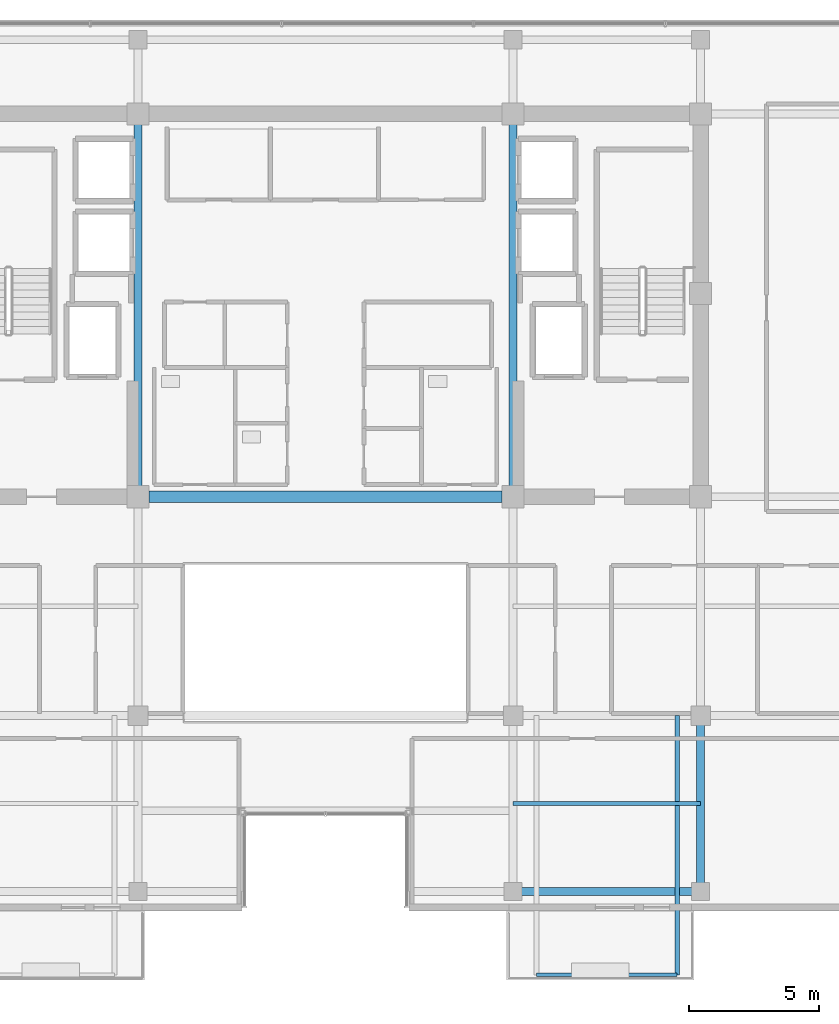
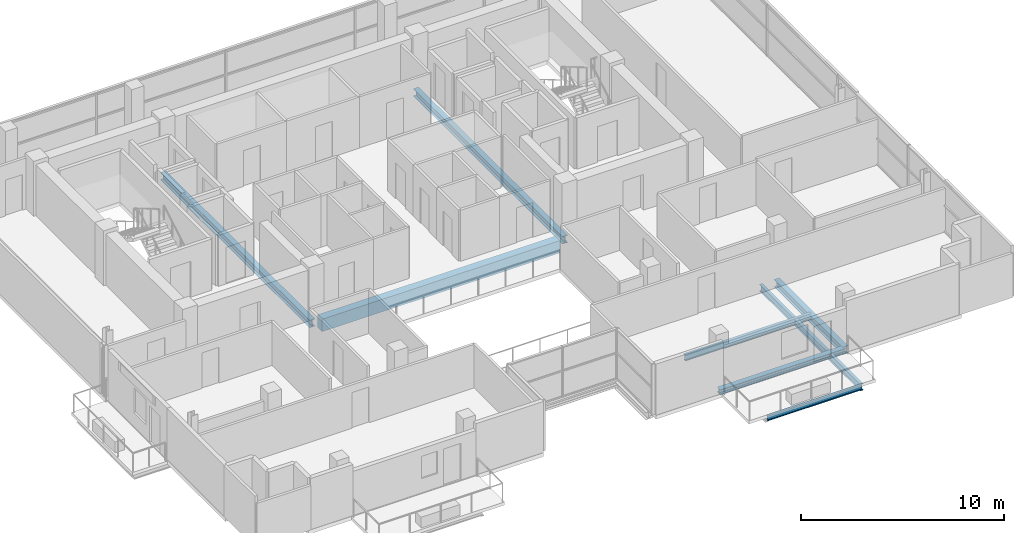
# One storey, part 6 of 21: 8 beams.
"""IFC4 building model written with IfcOpenShell, lengths in metres."""

import ifcopenshell
import ifcopenshell.guid

model = None  # the IFC model being written
_history = None  # IfcOwnerHistory: only IFC2X3 demands one
_inside = {}  # id of a spatial element -> (the spatial element, [elements in it])
_under = {}  # id of a project, library or spatial element -> (it, [spatial elements below it])
_declared = {}  # id of a project -> (the project, [libraries it declares])
_typed = {}  # id of a type object -> (the type object, [elements of that type])
_made_of = {}  # id of a material, layer set ... -> (it, [elements and type objects made of it])


def new_model(schema):
    """Start an empty IFC model of exactly this schema.

    Asked for "IFC4X3", IfcOpenShell would pick the latest addendum, in which some entities
    have other attributes; the version numbers below select the first issue.
    IFC2X3 requires an IfcOwnerHistory on every rooted entity: one is made here for all.
    """
    global model, _history
    if schema == "IFC4X3":
        model = ifcopenshell.file(schema_version=(4, 3, 0, 0))
    else:
        model = ifcopenshell.file(schema=schema)
    _inside.clear()
    _under.clear()
    _declared.clear()
    _typed.clear()
    _made_of.clear()
    _history = None
    if model.schema == "IFC2X3":
        org = make("IfcOrganization", Name="unknown")
        user = make(
            "IfcPersonAndOrganization",
            ThePerson=make("IfcPerson", FamilyName="unknown"),
            TheOrganization=org,
        )
        app = make(
            "IfcApplication",
            ApplicationDeveloper=org,
            Version="unknown",
            ApplicationFullName="unknown",
            ApplicationIdentifier="unknown",
        )
        _history = make(
            "IfcOwnerHistory",
            OwningUser=user,
            OwningApplication=app,
            ChangeAction="ADDED",
            CreationDate=0,
        )
    return model


def make(cls, **values):
    """One entity of the class cls with the attributes given. An attribute that is None is left unset."""
    return model.create_entity(
        cls, **{name: value for name, value in values.items() if value is not None}
    )


def rooted(cls, **values):
    """An entity with a GlobalId (a new one), such as an element, a storey or a relation."""
    return make(cls, GlobalId=ifcopenshell.guid.new(), OwnerHistory=_history, **values)


def si_unit(unit_type, name, prefix=None):
    """IfcSIUnit, for example si_unit("LENGTHUNIT", "METRE", prefix="MILLI")."""
    return make("IfcSIUnit", UnitType=unit_type, Prefix=prefix, Name=name)


def assignment(units):
    """IfcUnitAssignment: the units of a project."""
    return None if units is None else make("IfcUnitAssignment", Units=units)


def point(xyz):
    """IfcCartesianPoint."""
    return None if xyz is None else make("IfcCartesianPoint", Coordinates=xyz)


def direction(xyz):
    """IfcDirection."""
    return None if xyz is None else make("IfcDirection", DirectionRatios=xyz)


def frame(location, z_axis=None, x_axis=None):
    """IfcAxis2Placement3D, a coordinate frame: its origin and axes. An axis left out is left unset."""
    return make(
        "IfcAxis2Placement3D",
        Location=point(location),
        Axis=direction(z_axis),
        RefDirection=direction(x_axis),
    )


def frame_2d(location, x_axis=None):
    """IfcAxis2Placement2D, a coordinate frame in the plane: its origin and x axis."""
    return make(
        "IfcAxis2Placement2D", Location=point(location), RefDirection=direction(x_axis)
    )


def origin():
    """The frame at (0, 0, 0) with its axes left unset."""
    return frame((0.0, 0.0, 0.0))


def origin_2d():
    """The frame at (0, 0) in the plane with its x axis left unset."""
    return frame_2d((0.0, 0.0))


def place(relative_to, where):
    """IfcLocalPlacement: puts the frame where relative to a parent placement (None: the world)."""
    return make(
        "IfcLocalPlacement", PlacementRelTo=relative_to, RelativePlacement=where
    )


def context(
    kind, dimensions, precision=None, world=None, true_north=None, identifier=None
):
    """IfcGeometricRepresentationContext, for example the 3D "Model" context."""
    return make(
        "IfcGeometricRepresentationContext",
        ContextIdentifier=identifier,
        ContextType=kind,
        CoordinateSpaceDimension=dimensions,
        Precision=precision,
        WorldCoordinateSystem=world,
        TrueNorth=true_north,
    )


def subcontext(parent, identifier, kind, view, scale=None):
    """IfcGeometricRepresentationSubContext, for example "Body" below "Model"."""
    return make(
        "IfcGeometricRepresentationSubContext",
        ContextIdentifier=identifier,
        ContextType=kind,
        ParentContext=parent,
        TargetScale=scale,
        TargetView=view,
    )


def project(units=None, contexts=None):
    """IfcProject with its units and contexts."""
    return rooted(
        "IfcProject",
        Name="project",
        RepresentationContexts=contexts,
        UnitsInContext=assignment(units),
    )


def spatial(cls, under=None, at=None, **own):
    """A site, building, storey or space (cls), placed at a placement, below another one or the project."""
    s = rooted(cls, ObjectPlacement=at, **own)
    if under is not None:
        _under.setdefault(under.id(), (under, []))[1].append(s)
    return s


def profile(cls, at=None, kind="AREA", **sizes):
    """A parametric profile (cls). Its sizes go by their IFC names, for example OverallWidth=200.0."""
    return make(cls, ProfileType=kind, Position=at, **sizes)


def rectangle(**sizes):
    """IfcRectangleProfileDef."""
    return profile("IfcRectangleProfileDef", **sizes)


def i_section(**sizes):
    """IfcIShapeProfileDef."""
    return profile("IfcIShapeProfileDef", **sizes)


def extrude(swept, where, along, depth):
    """IfcExtrudedAreaSolid: the profile swept, set in the frame where, extruded along a direction by depth."""
    return make(
        "IfcExtrudedAreaSolid",
        SweptArea=swept,
        Position=where,
        ExtrudedDirection=direction(along),
        Depth=depth,
    )


def shape(context_of_items, identifier, shape_type, items):
    """IfcShapeRepresentation: the items that make up one representation, for example the "Body"."""
    return make(
        "IfcShapeRepresentation",
        ContextOfItems=context_of_items,
        RepresentationIdentifier=identifier,
        RepresentationType=shape_type,
        Items=items,
    )


def material(Name=None, Category=None):
    """IfcMaterial."""
    return make("IfcMaterial", Name=Name, Category=Category)


def material_profile(
    of_material, cross_section, Name=None, Category=None, Priority=None
):
    """IfcMaterialProfile: a cross section and its material."""
    return make(
        "IfcMaterialProfile",
        Name=Name,
        Material=of_material,
        Profile=cross_section,
        Priority=Priority,
        Category=Category,
    )


def profile_set(profiles, Name=None, composite=None):
    """IfcMaterialProfileSet."""
    return make(
        "IfcMaterialProfileSet",
        Name=Name,
        MaterialProfiles=profiles,
        CompositeProfile=composite,
    )


def made_of(thing, what):
    """Note that an element or type object is made of a material, layer set ...; save() writes the relation."""
    if what is not None:
        _made_of.setdefault(what.id(), (what, []))[1].append(thing)
    return thing


def type_object(cls, material=None, **own):
    """A type object (cls), such as IfcWallType, which elements share."""
    return made_of(rooted(cls, **own), material)


def element(
    cls,
    number,
    at=None,
    inside=None,
    cuts=None,
    type_object=None,
    material=None,
    context=None,
    identifier="Body",
    shape_type=None,
    held_by="IfcProductDefinitionShape",
    body=None,
    shapes=None,
    **own,
):
    """One element of the class cls, such as IfcWall. Its Tag is "e" and its number.

    at: its placement. inside: the storey or other place that contains it. cuts: it is an
    opening in that element (IfcRelVoidsElement). A single representation is given by context,
    identifier, shape_type and body (its items); several are given by shapes. held_by: the class
    of the entity that holds the representations. save() writes the other relations.
    """
    e = rooted(cls, Tag="e%d" % number, ObjectPlacement=at, **own)
    if body is not None:
        shapes = [shape(context, identifier, shape_type, body)]
    if shapes is not None:
        e.Representation = make(held_by, Representations=shapes)
    if inside is not None:
        _inside.setdefault(inside.id(), (inside, []))[1].append(e)
    if cuts is not None:
        rooted(
            "IfcRelVoidsElement", RelatingBuildingElement=cuts, RelatedOpeningElement=e
        )
    if type_object is not None:
        _typed.setdefault(type_object.id(), (type_object, []))[1].append(e)
    return made_of(e, material)


def aggregate(whole, parts):
    """IfcRelAggregates: a whole, such as a stair, and the parts it consists of."""
    return rooted("IfcRelAggregates", RelatingObject=whole, RelatedObjects=parts)


def save(model, path):
    """Write the relations noted so far, then the file.

    IfcRelAggregates (storeys below a building ...), IfcRelContainedInSpatialStructure (elements
    in a storey), IfcRelDefinesByType, IfcRelAssociatesMaterial and IfcRelDeclares: one each for
    every whole, place, type object, material and project.
    """
    for whole, parts in _under.values():
        aggregate(whole, parts)
    for where, things in _inside.values():
        rooted(
            "IfcRelContainedInSpatialStructure",
            RelatedElements=things,
            RelatingStructure=where,
        )
    for kind, things in _typed.values():
        rooted("IfcRelDefinesByType", RelatedObjects=things, RelatingType=kind)
    for what, things in _made_of.values():
        rooted("IfcRelAssociatesMaterial", RelatedObjects=things, RelatingMaterial=what)
    for by, libraries in _declared.values():
        rooted("IfcRelDeclares", RelatingContext=by, RelatedDefinitions=libraries)
    model.write(path)


model = new_model("IFC4")

# Units and contexts
model_context = context("Model", 3, precision=1e-05, world=origin(), true_north=direction((0.0, 1.0)))
body_context = subcontext(model_context, "Body", "Model", "MODEL_VIEW")
ifc_project = project(units=[si_unit("LENGTHUNIT", "METRE"), si_unit("AREAUNIT", "SQUARE_METRE"), si_unit("VOLUMEUNIT", "CUBIC_METRE"), si_unit("PLANEANGLEUNIT", "RADIAN"), si_unit("MASSUNIT", "GRAM", prefix="KILO")], contexts=[model_context])

# Site, building, storey
site_placement = place(None, origin())
site = spatial("IfcSite", under=ifc_project, at=site_placement, CompositionType="ELEMENT")
building_placement = place(site_placement, origin())
building = spatial("IfcBuilding", under=site, at=building_placement, Name="Zarnakvel Exchange Tower", CompositionType="ELEMENT")
storey_placement = place(building_placement, frame((0.0, 0.0, 248.5)))
storey = spatial("IfcBuildingStorey", under=building, at=storey_placement, Name="L70", CompositionType="ELEMENT", Elevation=248.5)

# Beams
ifc_material_1 = material(Name="Steel S355", Category="steel")
ifc_material_profile_1 = material_profile(ifc_material_1, i_section(OverallWidth=0.179931640625, OverallDepth=0.39990234375, WebThickness=0.008544921875, FlangeThickness=0.013427734375, FilletRadius=0.02099609375, at=origin_2d()))
ifc_profile_set_1 = profile_set([ifc_material_profile_1], Name="Steel S355")
beam_type_1 = type_object("IfcBeamType", Name="B-06", PredefinedType="JOIST", material=ifc_profile_set_1)
beam_1_placement = place(storey_placement, frame((13.5, -9.60009765625, -0.425048828125), z_axis=(0.0, -1.0, 0.0), x_axis=(1.0, 0.0, 0.0)))
element("IfcBeam", 1, at=beam_1_placement, inside=storey, type_object=beam_type_1, Name="L70 Continuous Back-Spanned Balcony Beam E", PredefinedType="JOIST", context=body_context, shape_type="SweptSolid", body=[
    extrude(i_section(OverallWidth=0.179931640625, OverallDepth=0.39990234375, WebThickness=0.008544921875, FlangeThickness=0.013427734375, FilletRadius=0.02099609375, at=origin_2d()), origin(), (0.0, 0.0, 1.0), 9.949951171875),
])
ifc_material_profile_2 = material_profile(ifc_material_1, i_section(OverallWidth=0.169921875, OverallDepth=0.360107421875, WebThickness=0.008056640625, FlangeThickness=0.0126953125, FilletRadius=0.01806640625, at=origin_2d()))
ifc_profile_set_2 = profile_set([ifc_material_profile_2], Name="Steel S355")
beam_type_2 = type_object("IfcBeamType", Name="B-07", PredefinedType="JOIST", material=ifc_profile_set_2)
beam_2_placement = place(storey_placement, frame((7.199951171875, -12.97509765625, -0.405029296875), z_axis=(1.0, 0.0, 0.0), x_axis=(0.0, 1.0, 0.0)))
element("IfcBeam", 2, at=beam_2_placement, inside=storey, type_object=beam_type_2, Name="L70 Composite Floor Secondary Joist", PredefinedType="JOIST", context=body_context, shape_type="SweptSolid", body=[
    extrude(i_section(OverallWidth=0.169921875, OverallDepth=0.360107421875, WebThickness=0.008056640625, FlangeThickness=0.0126953125, FilletRadius=0.01806640625, at=origin_2d()), origin(), (0.0, 0.0, 1.0), 7.199951171875),
])
ifc_material_profile_3 = material_profile(ifc_material_1, i_section(OverallWidth=0.14990234375, OverallDepth=0.300048828125, WebThickness=0.007080078125, FlangeThickness=0.0107421875, FilletRadius=0.014892578125, at=origin_2d()))
ifc_profile_set_3 = profile_set([ifc_material_profile_3], Name="Steel S355")
beam_type_3 = type_object("IfcBeamType", Name="B-08", PredefinedType="JOIST", material=ifc_profile_set_3)
beam_3_placement = place(storey_placement, frame((8.10009765625, -19.550048828125, -0.375), z_axis=(1.0, 0.0, 0.0), x_axis=(0.0, 1.0, 0.0)))
element("IfcBeam", 3, at=beam_3_placement, inside=storey, type_object=beam_type_3, Name="L70 Balcony Edge Beam", PredefinedType="JOIST", context=body_context, shape_type="SweptSolid", body=[
    extrude(i_section(OverallWidth=0.14990234375, OverallDepth=0.300048828125, WebThickness=0.007080078125, FlangeThickness=0.0107421875, FilletRadius=0.014892578125, at=origin_2d()), origin(), (0.0, 0.0, 1.0), 5.39990234375),
])
ifc_material_2 = material(Name="Concrete C50/60", Category="concrete")
ifc_material_profile_4 = material_profile(ifc_material_2, rectangle(XDim=0.449951171875, YDim=0.75, at=origin_2d()))
ifc_profile_set_4 = profile_set([ifc_material_profile_4], Name="Concrete C50/60")
beam_type_4 = type_object("IfcBeamType", Name="CB-03", PredefinedType="LINTEL", material=ifc_profile_set_4)
beam_4_placement = place(storey_placement, frame((-6.77490234375, -1.199951171875, -0.60009765625), z_axis=(1.0, 0.0, 0.0), x_axis=(0.0, 1.0, 0.0)))
element("IfcBeam", 4, at=beam_4_placement, inside=storey, type_object=beam_type_4, Name="L70 Rear Core South Coupling Beam (CB-03)", PredefinedType="LINTEL", context=body_context, shape_type="SweptSolid", body=[
    extrude(rectangle(XDim=0.449951171875, YDim=0.75, at=origin_2d()), origin(), (0.0, 0.0, 1.0), 13.5498046875),
])
ifc_material_profile_5 = material_profile(ifc_material_1, i_section(OverallWidth=0.300048828125, OverallDepth=0.449951171875, WebThickness=0.013916015625, FlangeThickness=0.02587890625, FilletRadius=0.027099609375, at=origin_2d()))
ifc_profile_set_5 = profile_set([ifc_material_profile_5], Name="Steel S355")
beam_type_5 = type_object("IfcBeamType", Name="G-07", PredefinedType="BEAM", material=ifc_profile_set_5)
for number, where, z_axis, x_axis, name in (
    (5, (-7.199951171875, -1.199951171875, -0.449951171875), (0.0, 1.0, 0.0), (-1.0, 0.0, 0.0), "L70 Tower N-S Frame Beam"),
    (6, (7.199951171875, -1.199951171875, -0.449951171875), (0.0, 1.0, 0.0), (-1.0, 0.0, 0.0), "L70 Tower N-S Frame Beam"),
):
    element("IfcBeam", number, at=place(storey_placement, frame(where, z_axis=z_axis, x_axis=x_axis)), inside=storey, type_object=beam_type_5, Name=name, PredefinedType="BEAM", context=body_context, shape_type="SweptSolid", body=[
        extrude(i_section(OverallWidth=0.300048828125, OverallDepth=0.449951171875, WebThickness=0.013916015625, FlangeThickness=0.02587890625, FilletRadius=0.027099609375, at=origin_2d()), origin(), (0.0, 0.0, 1.0), 14.699951171875),
    ])
beam_5_placement = place(storey_placement, frame((14.39990234375, -16.35009765625, -0.449951171875), z_axis=(0.0, 1.0, 0.0), x_axis=(-1.0, 0.0, 0.0)))
element("IfcBeam", 7, at=beam_5_placement, inside=storey, type_object=beam_type_5, Name="L70 Tower N-S Frame Beam", PredefinedType="BEAM", context=body_context, shape_type="SweptSolid", body=[
    extrude(i_section(OverallWidth=0.300048828125, OverallDepth=0.449951171875, WebThickness=0.013916015625, FlangeThickness=0.02587890625, FilletRadius=0.027099609375, at=origin_2d()), origin(), (0.0, 0.0, 1.0), 6.75),
])
ifc_material_profile_6 = material_profile(ifc_material_1, i_section(OverallWidth=0.300048828125, OverallDepth=0.300048828125, WebThickness=0.010986328125, FlangeThickness=0.01904296875, FilletRadius=0.027099609375, at=origin_2d()))
ifc_profile_set_6 = profile_set([ifc_material_profile_6], Name="Steel S355")
beam_type_6 = type_object("IfcBeamType", Name="SP-03", PredefinedType="SPANDREL", material=ifc_profile_set_6)
beam_6_placement = place(storey_placement, frame((7.199951171875, -16.35009765625, -0.375), z_axis=(1.0, 0.0, 0.0), x_axis=(0.0, 1.0, 0.0)))
element("IfcBeam", 8, at=beam_6_placement, inside=storey, type_object=beam_type_6, Name="L70 Tower E-W Frame Beam", PredefinedType="SPANDREL", context=body_context, shape_type="SweptSolid", body=[
    extrude(i_section(OverallWidth=0.300048828125, OverallDepth=0.300048828125, WebThickness=0.010986328125, FlangeThickness=0.01904296875, FilletRadius=0.027099609375, at=origin_2d()), origin(), (0.0, 0.0, 1.0), 7.199951171875),
])

save(model, "model.ifc")
